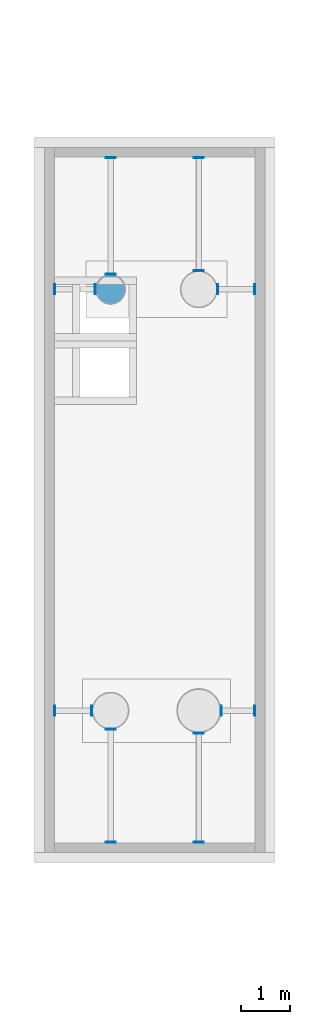
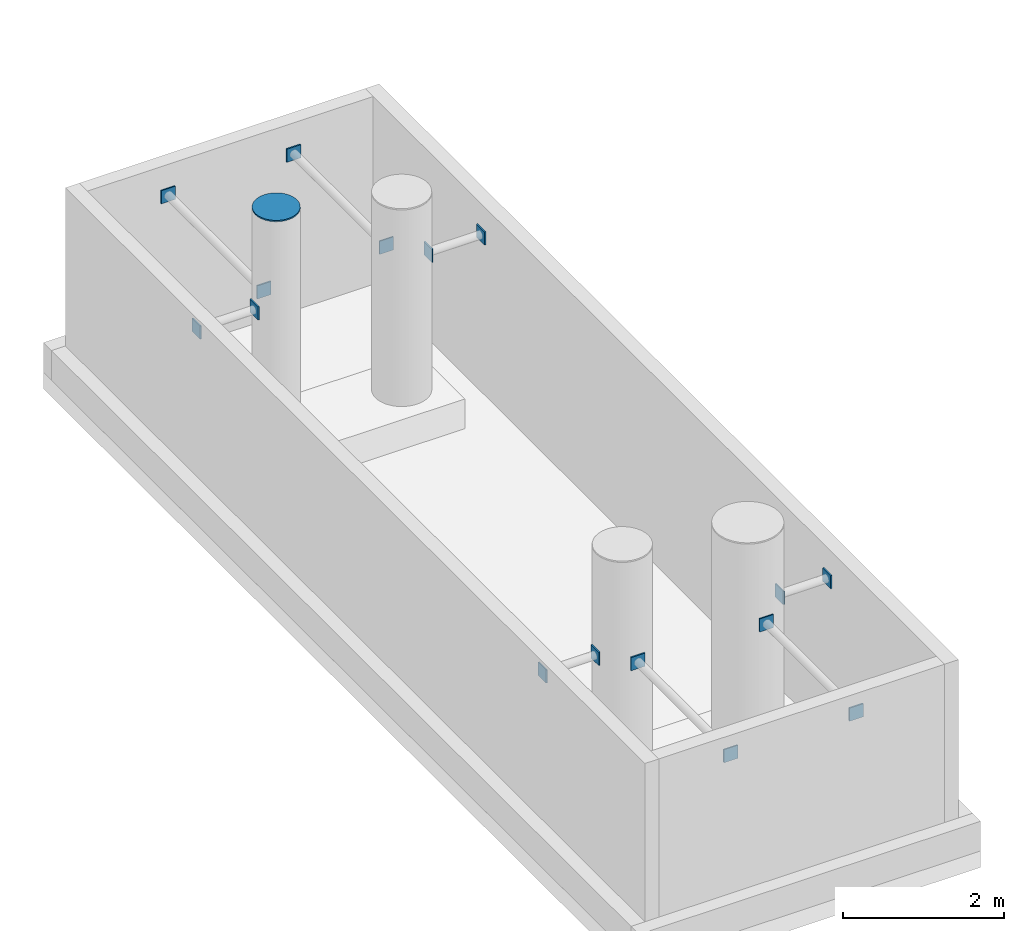
# One storey, part 6 of 7: 17 discrete accessories.
"""IFC4 building model written with IfcOpenShell, lengths in metres."""

from ifc_helpers import new_model, si_unit, direction, frame, origin, origin_2d, place, context, subcontext, project, spatial, polyline, rectangle, outline, extrude, material, type_object, element, save


model = new_model("IFC4")

# Units and contexts
model_context = context("Model", 3, precision=1e-05, world=origin(), true_north=direction((0.0, 1.0)))
body_context = subcontext(model_context, "Body", "Model", "MODEL_VIEW")
ifc_project = project(units=[si_unit("LENGTHUNIT", "METRE"), si_unit("AREAUNIT", "SQUARE_METRE"), si_unit("VOLUMEUNIT", "CUBIC_METRE"), si_unit("PLANEANGLEUNIT", "RADIAN"), si_unit("MASSUNIT", "GRAM", prefix="KILO")], contexts=[model_context])

# Site, building, storey
site_placement = place(None, origin())
site = spatial("IfcSite", under=ifc_project, at=site_placement, CompositionType="ELEMENT")
building_placement = place(site_placement, origin())
building = spatial("IfcBuilding", under=site, at=building_placement, Name="Basin Gate Institute", CompositionType="ELEMENT")
storey_placement = place(building_placement, frame((0.0, 0.0, 78.60009765625)))
storey = spatial("IfcBuildingStorey", under=building, at=storey_placement, Name="UPPER ROOF", CompositionType="ELEMENT", Elevation=78.60009765625)

# Discrete accessories
ifc_material_1 = material(Name="Structural steel SN490", Category="steel")
discrete_accessory_type_1 = type_object("IfcDiscreteAccessoryType", Name="Brace end plate BP200", PredefinedType="BRACKET", material=ifc_material_1)
for number, where, z_axis, x_axis, name in (
    (1, (62.1650390625, 63.199951171875, 2.5498046875), (0.0, 0.0, 1.0), (1.0, 0.0, 0.0), "Exhaust pipe tie TD5 WM 1a end plate 1"),
    (2, (61.409912109375, 63.199951171875, 2.5498046875), (0.0, 0.0, 1.0), (1.0, 0.0, 0.0), "Exhaust pipe tie TD5 WM 1a end plate 2"),
):
    element("IfcDiscreteAccessory", number, at=place(storey_placement, frame(where, z_axis=z_axis, x_axis=x_axis)), inside=storey, type_object=discrete_accessory_type_1, material=ifc_material_1, Name=name, PredefinedType="BRACKET", context=body_context, shape_type="SweptSolid", body=[
        extrude(rectangle(XDim=0.02001953125, YDim=0.199951171875, at=origin_2d()), origin(), (0.0, 0.0, 1.0), 0.199951171875),
    ])
for number, where, z_axis, x_axis, name in (
    (3, (62.550048828125, 62.81494140625, 2.5498046875), (0.0, 0.0, 1.0), (1.0, 0.0, 0.0), "Exhaust pipe tie TD5 WM 1b end plate 1"),
    (4, (62.550048828125, 60.510009765625, 2.5498046875), (0.0, 0.0, 1.0), (1.0, 0.0, 0.0), "Exhaust pipe tie TD5 WM 1b end plate 2"),
):
    element("IfcDiscreteAccessory", number, at=place(storey_placement, frame(where, z_axis=z_axis, x_axis=x_axis)), inside=storey, type_object=discrete_accessory_type_1, material=ifc_material_1, Name=name, PredefinedType="BRACKET", context=body_context, shape_type="SweptSolid", body=[
        extrude(rectangle(XDim=0.199951171875, YDim=0.02001953125, at=origin_2d()), origin(), (0.0, 0.0, 1.0), 0.199951171875),
    ])
for number, where, z_axis, x_axis, name in (
    (5, (64.81005859375, 63.199951171875, 2.5498046875), (0.0, 0.0, 1.0), (1.0, 0.0, 0.0), "Exhaust pipe tie TD5 WM 2a end plate 1"),
    (6, (65.489990234375, 63.199951171875, 2.5498046875), (0.0, 0.0, 1.0), (1.0, 0.0, 0.0), "Exhaust pipe tie TD5 WM 2a end plate 2"),
):
    element("IfcDiscreteAccessory", number, at=place(storey_placement, frame(where, z_axis=z_axis, x_axis=x_axis)), inside=storey, type_object=discrete_accessory_type_1, material=ifc_material_1, Name=name, PredefinedType="BRACKET", context=body_context, shape_type="SweptSolid", body=[
        extrude(rectangle(XDim=0.02001953125, YDim=0.199951171875, at=origin_2d()), origin(), (0.0, 0.0, 1.0), 0.199951171875),
    ])
for number, where, z_axis, x_axis, name in (
    (7, (64.35009765625, 62.739990234375, 2.5498046875), (0.0, 0.0, 1.0), (1.0, 0.0, 0.0), "Exhaust pipe tie TD5 WM 2b end plate 1"),
    (8, (64.35009765625, 60.510009765625, 2.5498046875), (0.0, 0.0, 1.0), (1.0, 0.0, 0.0), "Exhaust pipe tie TD5 WM 2b end plate 2"),
):
    element("IfcDiscreteAccessory", number, at=place(storey_placement, frame(where, z_axis=z_axis, x_axis=x_axis)), inside=storey, type_object=discrete_accessory_type_1, material=ifc_material_1, Name=name, PredefinedType="BRACKET", context=body_context, shape_type="SweptSolid", body=[
        extrude(rectangle(XDim=0.199951171875, YDim=0.02001953125, at=origin_2d()), origin(), (0.0, 0.0, 1.0), 0.199951171875),
    ])
for number, where, z_axis, x_axis, name in (
    (9, (62.239990234375, 71.800048828125, 2.5498046875), (0.0, 0.0, 1.0), (1.0, 0.0, 0.0), "Exhaust pipe tie TD5 WM 3a end plate 1"),
    (10, (61.409912109375, 71.800048828125, 2.5498046875), (0.0, 0.0, 1.0), (1.0, 0.0, 0.0), "Exhaust pipe tie TD5 WM 3a end plate 2"),
):
    element("IfcDiscreteAccessory", number, at=place(storey_placement, frame(where, z_axis=z_axis, x_axis=x_axis)), inside=storey, type_object=discrete_accessory_type_1, material=ifc_material_1, Name=name, PredefinedType="BRACKET", context=body_context, shape_type="SweptSolid", body=[
        extrude(rectangle(XDim=0.02001953125, YDim=0.199951171875, at=origin_2d()), origin(), (0.0, 0.0, 1.0), 0.199951171875),
    ])
for number, where, z_axis, x_axis, name in (
    (11, (62.550048828125, 72.110107421875, 2.5498046875), (0.0, 0.0, 1.0), (1.0, 0.0, 0.0), "Exhaust pipe tie TD5 WM 3b end plate 1"),
    (12, (62.550048828125, 74.489990234375, 2.5498046875), (0.0, 0.0, 1.0), (1.0, 0.0, 0.0), "Exhaust pipe tie TD5 WM 3b end plate 2"),
):
    element("IfcDiscreteAccessory", number, at=place(storey_placement, frame(where, z_axis=z_axis, x_axis=x_axis)), inside=storey, type_object=discrete_accessory_type_1, material=ifc_material_1, Name=name, PredefinedType="BRACKET", context=body_context, shape_type="SweptSolid", body=[
        extrude(rectangle(XDim=0.199951171875, YDim=0.02001953125, at=origin_2d()), origin(), (0.0, 0.0, 1.0), 0.199951171875),
    ])
for number, where, z_axis, x_axis, name in (
    (13, (64.735107421875, 71.800048828125, 2.5498046875), (0.0, 0.0, 1.0), (1.0, 0.0, 0.0), "Exhaust pipe tie TD5 WM 4a end plate 1"),
    (14, (65.489990234375, 71.800048828125, 2.5498046875), (0.0, 0.0, 1.0), (1.0, 0.0, 0.0), "Exhaust pipe tie TD5 WM 4a end plate 2"),
):
    element("IfcDiscreteAccessory", number, at=place(storey_placement, frame(where, z_axis=z_axis, x_axis=x_axis)), inside=storey, type_object=discrete_accessory_type_1, material=ifc_material_1, Name=name, PredefinedType="BRACKET", context=body_context, shape_type="SweptSolid", body=[
        extrude(rectangle(XDim=0.02001953125, YDim=0.199951171875, at=origin_2d()), origin(), (0.0, 0.0, 1.0), 0.199951171875),
    ])
for number, where, z_axis, x_axis, name in (
    (15, (64.35009765625, 72.18505859375, 2.5498046875), (0.0, 0.0, 1.0), (1.0, 0.0, 0.0), "Exhaust pipe tie TD5 WM 4b end plate 1"),
    (16, (64.35009765625, 74.489990234375, 2.5498046875), (0.0, 0.0, 1.0), (1.0, 0.0, 0.0), "Exhaust pipe tie TD5 WM 4b end plate 2"),
):
    element("IfcDiscreteAccessory", number, at=place(storey_placement, frame(where, z_axis=z_axis, x_axis=x_axis)), inside=storey, type_object=discrete_accessory_type_1, material=ifc_material_1, Name=name, PredefinedType="BRACKET", context=body_context, shape_type="SweptSolid", body=[
        extrude(rectangle(XDim=0.199951171875, YDim=0.02001953125, at=origin_2d()), origin(), (0.0, 0.0, 1.0), 0.199951171875),
    ])
ifc_material_2 = material(Name="Structural steel SN490", Category="steel")
discrete_accessory_type_2 = type_object("IfcDiscreteAccessoryType", Name="Exhaust pipe cap plate PC600", PredefinedType="BRACKET", material=ifc_material_2)
discrete_accessory_placement = place(storey_placement, frame((0.0, 0.0, 4.079833984375)))
element("IfcDiscreteAccessory", 17, at=discrete_accessory_placement, inside=storey, type_object=discrete_accessory_type_2, material=ifc_material_2, Name="Exhaust pipe EX1 WM 3 cap plate", PredefinedType="BRACKET", context=body_context, shape_type="SweptSolid", body=[
    extrude(outline(polyline([(62.85009765625, 71.800048828125), (62.84423828125, 71.8583984375), (62.8271484375, 71.914794921875), (62.79931640625, 71.966796875), (62.76220703125, 72.01220703125), (62.716796875, 72.04931640625), (62.664794921875, 72.0771484375), (62.6083984375, 72.09423828125), (62.550048828125, 72.10009765625), (62.491455078125, 72.09423828125), (62.435302734375, 72.0771484375), (62.38330078125, 72.04931640625), (62.337890625, 72.01220703125), (62.300537109375, 71.966796875), (62.272705078125, 71.914794921875), (62.255859375, 71.8583984375), (62.25, 71.800048828125), (62.255859375, 71.741455078125), (62.272705078125, 71.685302734375), (62.300537109375, 71.63330078125), (62.337890625, 71.587890625), (62.38330078125, 71.550537109375), (62.435302734375, 71.522705078125), (62.491455078125, 71.505859375), (62.550048828125, 71.5), (62.6083984375, 71.505859375), (62.664794921875, 71.522705078125), (62.716796875, 71.550537109375), (62.76220703125, 71.587890625), (62.79931640625, 71.63330078125), (62.8271484375, 71.685302734375), (62.84423828125, 71.741455078125), (62.85009765625, 71.800048828125)])), origin(), (0.0, 0.0, 1.0), 0.02001953125),
])

save(model, "model.ifc")
